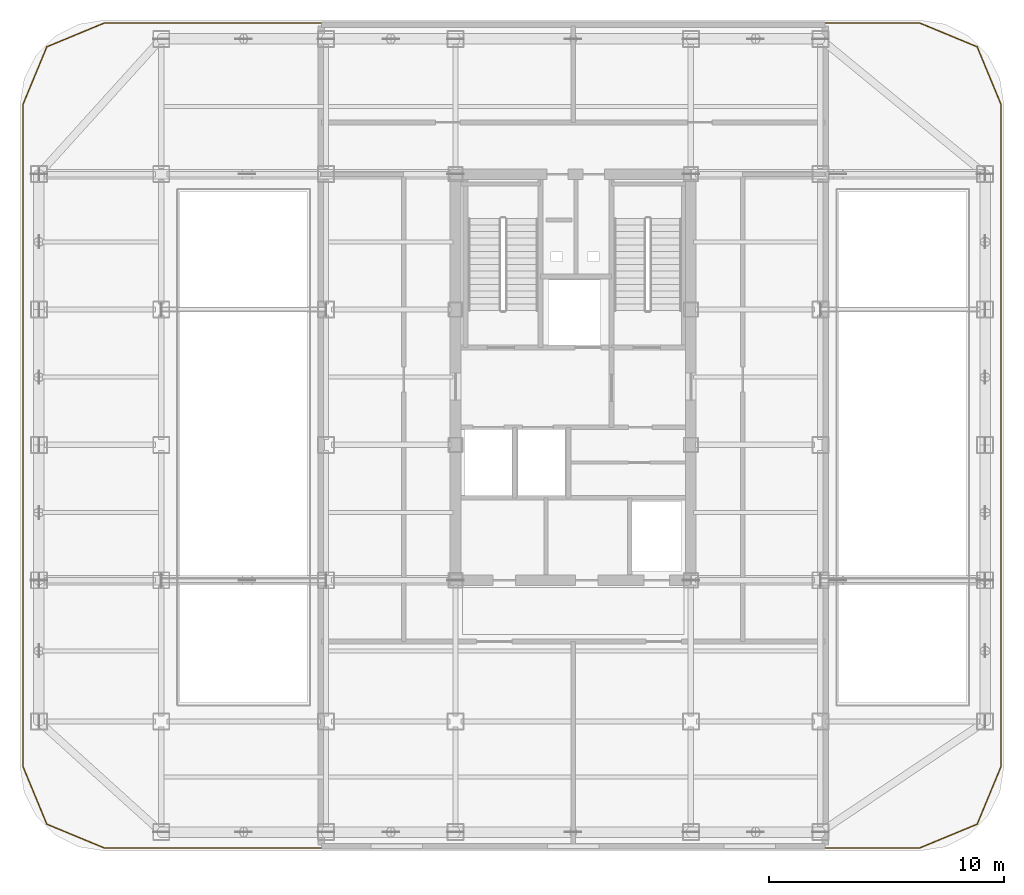
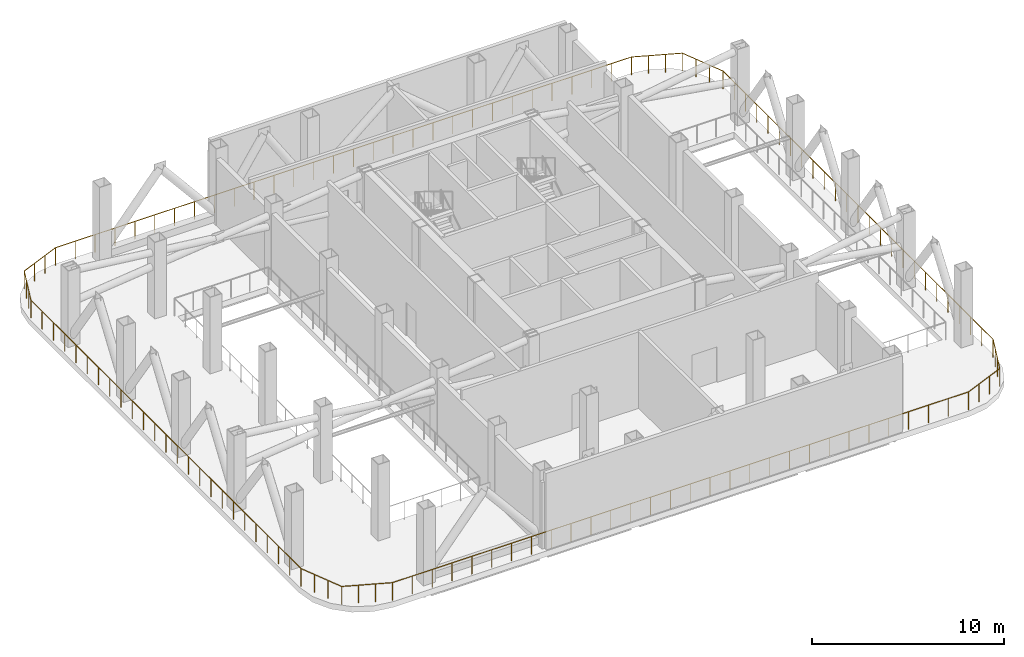
# One storey, part 9 of 10: 1 railing.
"""IFC4 building model written with IfcOpenShell, lengths in metres."""

import ifcopenshell
import ifcopenshell.guid

model = None  # the IFC model being written
_history = None  # IfcOwnerHistory: only IFC2X3 demands one
_inside = {}  # id of a spatial element -> (the spatial element, [elements in it])
_under = {}  # id of a project, library or spatial element -> (it, [spatial elements below it])
_declared = {}  # id of a project -> (the project, [libraries it declares])
_typed = {}  # id of a type object -> (the type object, [elements of that type])
_made_of = {}  # id of a material, layer set ... -> (it, [elements and type objects made of it])


def new_model(schema):
    """Start an empty IFC model of exactly this schema.

    Asked for "IFC4X3", IfcOpenShell would pick the latest addendum, in which some entities
    have other attributes; the version numbers below select the first issue.
    IFC2X3 requires an IfcOwnerHistory on every rooted entity: one is made here for all.
    """
    global model, _history
    if schema == "IFC4X3":
        model = ifcopenshell.file(schema_version=(4, 3, 0, 0))
    else:
        model = ifcopenshell.file(schema=schema)
    _inside.clear()
    _under.clear()
    _declared.clear()
    _typed.clear()
    _made_of.clear()
    _history = None
    if model.schema == "IFC2X3":
        org = make("IfcOrganization", Name="unknown")
        user = make(
            "IfcPersonAndOrganization",
            ThePerson=make("IfcPerson", FamilyName="unknown"),
            TheOrganization=org,
        )
        app = make(
            "IfcApplication",
            ApplicationDeveloper=org,
            Version="unknown",
            ApplicationFullName="unknown",
            ApplicationIdentifier="unknown",
        )
        _history = make(
            "IfcOwnerHistory",
            OwningUser=user,
            OwningApplication=app,
            ChangeAction="ADDED",
            CreationDate=0,
        )
    return model


def make(cls, **values):
    """One entity of the class cls with the attributes given. An attribute that is None is left unset."""
    return model.create_entity(
        cls, **{name: value for name, value in values.items() if value is not None}
    )


def rooted(cls, **values):
    """An entity with a GlobalId (a new one), such as an element, a storey or a relation."""
    return make(cls, GlobalId=ifcopenshell.guid.new(), OwnerHistory=_history, **values)


def si_unit(unit_type, name, prefix=None):
    """IfcSIUnit, for example si_unit("LENGTHUNIT", "METRE", prefix="MILLI")."""
    return make("IfcSIUnit", UnitType=unit_type, Prefix=prefix, Name=name)


def assignment(units):
    """IfcUnitAssignment: the units of a project."""
    return None if units is None else make("IfcUnitAssignment", Units=units)


def point(xyz):
    """IfcCartesianPoint."""
    return None if xyz is None else make("IfcCartesianPoint", Coordinates=xyz)


def direction(xyz):
    """IfcDirection."""
    return None if xyz is None else make("IfcDirection", DirectionRatios=xyz)


def frame(location, z_axis=None, x_axis=None):
    """IfcAxis2Placement3D, a coordinate frame: its origin and axes. An axis left out is left unset."""
    return make(
        "IfcAxis2Placement3D",
        Location=point(location),
        Axis=direction(z_axis),
        RefDirection=direction(x_axis),
    )


def frame_2d(location, x_axis=None):
    """IfcAxis2Placement2D, a coordinate frame in the plane: its origin and x axis."""
    return make(
        "IfcAxis2Placement2D", Location=point(location), RefDirection=direction(x_axis)
    )


def origin():
    """The frame at (0, 0, 0) with its axes left unset."""
    return frame((0.0, 0.0, 0.0))


def origin_2d():
    """The frame at (0, 0) in the plane with its x axis left unset."""
    return frame_2d((0.0, 0.0))


def place(relative_to, where):
    """IfcLocalPlacement: puts the frame where relative to a parent placement (None: the world)."""
    return make(
        "IfcLocalPlacement", PlacementRelTo=relative_to, RelativePlacement=where
    )


def context(
    kind, dimensions, precision=None, world=None, true_north=None, identifier=None
):
    """IfcGeometricRepresentationContext, for example the 3D "Model" context."""
    return make(
        "IfcGeometricRepresentationContext",
        ContextIdentifier=identifier,
        ContextType=kind,
        CoordinateSpaceDimension=dimensions,
        Precision=precision,
        WorldCoordinateSystem=world,
        TrueNorth=true_north,
    )


def subcontext(parent, identifier, kind, view, scale=None):
    """IfcGeometricRepresentationSubContext, for example "Body" below "Model"."""
    return make(
        "IfcGeometricRepresentationSubContext",
        ContextIdentifier=identifier,
        ContextType=kind,
        ParentContext=parent,
        TargetScale=scale,
        TargetView=view,
    )


def project(units=None, contexts=None):
    """IfcProject with its units and contexts."""
    return rooted(
        "IfcProject",
        Name="project",
        RepresentationContexts=contexts,
        UnitsInContext=assignment(units),
    )


def spatial(cls, under=None, at=None, **own):
    """A site, building, storey or space (cls), placed at a placement, below another one or the project."""
    s = rooted(cls, ObjectPlacement=at, **own)
    if under is not None:
        _under.setdefault(under.id(), (under, []))[1].append(s)
    return s


def profile(cls, at=None, kind="AREA", **sizes):
    """A parametric profile (cls). Its sizes go by their IFC names, for example OverallWidth=200.0."""
    return make(cls, ProfileType=kind, Position=at, **sizes)


def circle(**sizes):
    """IfcCircleProfileDef."""
    return profile("IfcCircleProfileDef", **sizes)


def extrude(swept, where, along, depth):
    """IfcExtrudedAreaSolid: the profile swept, set in the frame where, extruded along a direction by depth."""
    return make(
        "IfcExtrudedAreaSolid",
        SweptArea=swept,
        Position=where,
        ExtrudedDirection=direction(along),
        Depth=depth,
    )


def shape(context_of_items, identifier, shape_type, items):
    """IfcShapeRepresentation: the items that make up one representation, for example the "Body"."""
    return make(
        "IfcShapeRepresentation",
        ContextOfItems=context_of_items,
        RepresentationIdentifier=identifier,
        RepresentationType=shape_type,
        Items=items,
    )


def material(Name=None, Category=None):
    """IfcMaterial."""
    return make("IfcMaterial", Name=Name, Category=Category)


def made_of(thing, what):
    """Note that an element or type object is made of a material, layer set ...; save() writes the relation."""
    if what is not None:
        _made_of.setdefault(what.id(), (what, []))[1].append(thing)
    return thing


def type_object(cls, material=None, **own):
    """A type object (cls), such as IfcWallType, which elements share."""
    return made_of(rooted(cls, **own), material)


def element(
    cls,
    number,
    at=None,
    inside=None,
    cuts=None,
    type_object=None,
    material=None,
    context=None,
    identifier="Body",
    shape_type=None,
    held_by="IfcProductDefinitionShape",
    body=None,
    shapes=None,
    **own,
):
    """One element of the class cls, such as IfcWall. Its Tag is "e" and its number.

    at: its placement. inside: the storey or other place that contains it. cuts: it is an
    opening in that element (IfcRelVoidsElement). A single representation is given by context,
    identifier, shape_type and body (its items); several are given by shapes. held_by: the class
    of the entity that holds the representations. save() writes the other relations.
    """
    e = rooted(cls, Tag="e%d" % number, ObjectPlacement=at, **own)
    if body is not None:
        shapes = [shape(context, identifier, shape_type, body)]
    if shapes is not None:
        e.Representation = make(held_by, Representations=shapes)
    if inside is not None:
        _inside.setdefault(inside.id(), (inside, []))[1].append(e)
    if cuts is not None:
        rooted(
            "IfcRelVoidsElement", RelatingBuildingElement=cuts, RelatedOpeningElement=e
        )
    if type_object is not None:
        _typed.setdefault(type_object.id(), (type_object, []))[1].append(e)
    return made_of(e, material)


def aggregate(whole, parts):
    """IfcRelAggregates: a whole, such as a stair, and the parts it consists of."""
    return rooted("IfcRelAggregates", RelatingObject=whole, RelatedObjects=parts)


def save(model, path):
    """Write the relations noted so far, then the file.

    IfcRelAggregates (storeys below a building ...), IfcRelContainedInSpatialStructure (elements
    in a storey), IfcRelDefinesByType, IfcRelAssociatesMaterial and IfcRelDeclares: one each for
    every whole, place, type object, material and project.
    """
    for whole, parts in _under.values():
        aggregate(whole, parts)
    for where, things in _inside.values():
        rooted(
            "IfcRelContainedInSpatialStructure",
            RelatedElements=things,
            RelatingStructure=where,
        )
    for kind, things in _typed.values():
        rooted("IfcRelDefinesByType", RelatedObjects=things, RelatingType=kind)
    for what, things in _made_of.values():
        rooted("IfcRelAssociatesMaterial", RelatedObjects=things, RelatingMaterial=what)
    for by, libraries in _declared.values():
        rooted("IfcRelDeclares", RelatingContext=by, RelatedDefinitions=libraries)
    model.write(path)


model = new_model("IFC4")

# Units and contexts
model_context = context("Model", 3, precision=1e-05, world=origin(), true_north=direction((0.0, 1.0)))
body_context = subcontext(model_context, "Body", "Model", "MODEL_VIEW")
ifc_project = project(units=[si_unit("LENGTHUNIT", "METRE"), si_unit("AREAUNIT", "SQUARE_METRE"), si_unit("VOLUMEUNIT", "CUBIC_METRE"), si_unit("PLANEANGLEUNIT", "RADIAN"), si_unit("MASSUNIT", "GRAM", prefix="KILO")], contexts=[model_context])

# Site, building, storey
site_placement = place(None, origin())
site = spatial("IfcSite", under=ifc_project, at=site_placement, CompositionType="ELEMENT")
building_placement = place(site_placement, origin())
building = spatial("IfcBuilding", under=site, at=building_placement, Name="Kolveth Station Tower", CompositionType="ELEMENT")
storey_placement = place(building_placement, frame((0.0, 0.0, 188.10009765625)))
storey = spatial("IfcBuildingStorey", under=building, at=storey_placement, Name="L53", CompositionType="ELEMENT", Elevation=188.10009765625)

# Railing
ifc_material = material(Name="Painted Steel S355 balustrade", Category="steel")
railing_type = type_object("IfcRailingType", Name="Guard_GR2", PredefinedType="BALUSTRADE", material=ifc_material)
railing_placement = place(storey_placement, frame((38.199951171875, 0.1201171875, 0.0)))
element("IfcRailing", 1, at=railing_placement, inside=storey, type_object=railing_type, Name="L53 Wind-Slot Aerodynamic Deck Perimeter Guard", PredefinedType="BALUSTRADE", context=body_context, shape_type="SweptSolid", body=[
    extrude(circle(Radius=0.02392578125, at=origin_2d()), frame((0.0, 0.0, 1.1259765625), z_axis=(0.923874946572, 0.382694503615, 0.0), x_axis=(-0.382694503615, 0.923874946572, 0.0)), (0.0, 0.0, 1.0), 2.663330078125),
    extrude(circle(Radius=0.02392578125, at=origin_2d()), frame((2.460693359375, 1.019287109375, 1.1259765625), z_axis=(0.382694503615, 0.923874946572, 0.0), x_axis=(-0.923874946572, 0.382694503615, 0.0)), (0.0, 0.0, 1.0), 2.663330078125),
    extrude(circle(Radius=0.02392578125, at=origin_2d()), frame((3.47998046875, 3.47998046875, 1.1259765625), z_axis=(0.0, 1.0, 0.0), x_axis=(-1.0, 0.0, 0.0)), (0.0, 0.0, 1.0), 28.099853515625),
    extrude(circle(Radius=0.02392578125, at=origin_2d()), frame((3.47998046875, 31.579833984375, 1.1259765625), z_axis=(-0.382694503615, 0.923874946572, 0.0), x_axis=(-0.923874946572, -0.382694503615, 0.0)), (0.0, 0.0, 1.0), 2.663330078125),
    extrude(circle(Radius=0.02392578125, at=origin_2d()), frame((2.460693359375, 34.04052734375, 1.1259765625), z_axis=(-0.923874946572, 0.382694503615, 0.0), x_axis=(-0.382694503615, -0.923874946572, 0.0)), (0.0, 0.0, 1.0), 2.663330078125),
    extrude(circle(Radius=0.02392578125, at=origin_2d()), frame((0.0, 35.059814453125, 1.1259765625), z_axis=(-1.0, 0.0, 0.0), x_axis=(0.0, -1.0, 0.0)), (0.0, 0.0, 1.0), 34.599853515625),
    extrude(circle(Radius=0.02392578125, at=origin_2d()), frame((-34.599853515625, 35.059814453125, 1.1259765625), z_axis=(-0.923874946572, -0.382694503615, 0.0), x_axis=(0.382694503615, -0.923874946572, 0.0)), (0.0, 0.0, 1.0), 2.663330078125),
    extrude(circle(Radius=0.02392578125, at=origin_2d()), frame((-37.060546875, 34.04052734375, 1.1259765625), z_axis=(-0.382694503615, -0.923874946572, 0.0), x_axis=(0.923874946572, -0.382694503615, 0.0)), (0.0, 0.0, 1.0), 2.663330078125),
    extrude(circle(Radius=0.02392578125, at=origin_2d()), frame((-38.079833984375, 31.579833984375, 1.1259765625), z_axis=(0.0, -1.0, 0.0), x_axis=(1.0, 0.0, 0.0)), (0.0, 0.0, 1.0), 28.099853515625),
    extrude(circle(Radius=0.02392578125, at=origin_2d()), frame((-38.079833984375, 3.47998046875, 1.1259765625), z_axis=(0.382694503615, -0.923874946572, 0.0), x_axis=(0.923874946572, 0.382694503615, 0.0)), (0.0, 0.0, 1.0), 2.663330078125),
    extrude(circle(Radius=0.02392578125, at=origin_2d()), frame((-37.060546875, 1.019287109375, 1.1259765625), z_axis=(0.923874946572, -0.382694503615, 0.0), x_axis=(0.382694503615, 0.923874946572, 0.0)), (0.0, 0.0, 1.0), 2.663330078125),
    extrude(circle(Radius=0.02392578125, at=origin_2d()), frame((-34.599853515625, 0.0, 1.1259765625), z_axis=(1.0, 0.0, 0.0), x_axis=(0.0, 1.0, 0.0)), (0.0, 0.0, 1.0), 34.574951171875),
    extrude(circle(Radius=0.02099609375, at=origin_2d()), origin(), (0.0, 0.0, 1.0), 1.101806640625),
    extrude(circle(Radius=0.02099609375, at=origin_2d()), frame((0.8203125, 0.33984375, 0.0)), (0.0, 0.0, 1.0), 1.101806640625),
    extrude(circle(Radius=0.02099609375, at=origin_2d()), frame((1.640380859375, 0.679443359375, 0.0)), (0.0, 0.0, 1.0), 1.101806640625),
    extrude(circle(Radius=0.02099609375, at=origin_2d()), frame((2.460693359375, 1.019287109375, 0.0)), (0.0, 0.0, 1.0), 1.101806640625),
    extrude(circle(Radius=0.02099609375, at=origin_2d()), frame((2.800537109375, 1.839599609375, 0.0)), (0.0, 0.0, 1.0), 1.101806640625),
    extrude(circle(Radius=0.02099609375, at=origin_2d()), frame((3.14013671875, 2.65966796875, 0.0)), (0.0, 0.0, 1.0), 1.101806640625),
    extrude(circle(Radius=0.02099609375, at=origin_2d()), frame((3.47998046875, 3.47998046875, 0.0)), (0.0, 0.0, 1.0), 1.101806640625),
    extrude(circle(Radius=0.02099609375, at=origin_2d()), frame((3.47998046875, 4.65087890625, 0.0)), (0.0, 0.0, 1.0), 1.101806640625),
    extrude(circle(Radius=0.02099609375, at=origin_2d()), frame((3.47998046875, 5.821533203125, 0.0)), (0.0, 0.0, 1.0), 1.101806640625),
    extrude(circle(Radius=0.02099609375, at=origin_2d()), frame((3.47998046875, 6.992431640625, 0.0)), (0.0, 0.0, 1.0), 1.101806640625),
    extrude(circle(Radius=0.02099609375, at=origin_2d()), frame((3.47998046875, 8.163330078125, 0.0)), (0.0, 0.0, 1.0), 1.101806640625),
    extrude(circle(Radius=0.02099609375, at=origin_2d()), frame((3.47998046875, 9.334228515625, 0.0)), (0.0, 0.0, 1.0), 1.101806640625),
    extrude(circle(Radius=0.02099609375, at=origin_2d()), frame((3.47998046875, 10.5048828125, 0.0)), (0.0, 0.0, 1.0), 1.101806640625),
    extrude(circle(Radius=0.02099609375, at=origin_2d()), frame((3.47998046875, 11.67578125, 0.0)), (0.0, 0.0, 1.0), 1.101806640625),
    extrude(circle(Radius=0.02099609375, at=origin_2d()), frame((3.47998046875, 12.8466796875, 0.0)), (0.0, 0.0, 1.0), 1.101806640625),
    extrude(circle(Radius=0.02099609375, at=origin_2d()), frame((3.47998046875, 14.017333984375, 0.0)), (0.0, 0.0, 1.0), 1.101806640625),
    extrude(circle(Radius=0.02099609375, at=origin_2d()), frame((3.47998046875, 15.188232421875, 0.0)), (0.0, 0.0, 1.0), 1.101806640625),
    extrude(circle(Radius=0.02099609375, at=origin_2d()), frame((3.47998046875, 16.359130859375, 0.0)), (0.0, 0.0, 1.0), 1.101806640625),
    extrude(circle(Radius=0.02099609375, at=origin_2d()), frame((3.47998046875, 17.52978515625, 0.0)), (0.0, 0.0, 1.0), 1.101806640625),
    extrude(circle(Radius=0.02099609375, at=origin_2d()), frame((3.47998046875, 18.70068359375, 0.0)), (0.0, 0.0, 1.0), 1.101806640625),
    extrude(circle(Radius=0.02099609375, at=origin_2d()), frame((3.47998046875, 19.87158203125, 0.0)), (0.0, 0.0, 1.0), 1.101806640625),
    extrude(circle(Radius=0.02099609375, at=origin_2d()), frame((3.47998046875, 21.04248046875, 0.0)), (0.0, 0.0, 1.0), 1.101806640625),
    extrude(circle(Radius=0.02099609375, at=origin_2d()), frame((3.47998046875, 22.213134765625, 0.0)), (0.0, 0.0, 1.0), 1.101806640625),
    extrude(circle(Radius=0.02099609375, at=origin_2d()), frame((3.47998046875, 23.384033203125, 0.0)), (0.0, 0.0, 1.0), 1.101806640625),
    extrude(circle(Radius=0.02099609375, at=origin_2d()), frame((3.47998046875, 24.554931640625, 0.0)), (0.0, 0.0, 1.0), 1.101806640625),
    extrude(circle(Radius=0.02099609375, at=origin_2d()), frame((3.47998046875, 25.7255859375, 0.0)), (0.0, 0.0, 1.0), 1.101806640625),
    extrude(circle(Radius=0.02099609375, at=origin_2d()), frame((3.47998046875, 26.896484375, 0.0)), (0.0, 0.0, 1.0), 1.101806640625),
    extrude(circle(Radius=0.02099609375, at=origin_2d()), frame((3.47998046875, 28.0673828125, 0.0)), (0.0, 0.0, 1.0), 1.101806640625),
    extrude(circle(Radius=0.02099609375, at=origin_2d()), frame((3.47998046875, 29.23828125, 0.0)), (0.0, 0.0, 1.0), 1.101806640625),
    extrude(circle(Radius=0.02099609375, at=origin_2d()), frame((3.47998046875, 30.408935546875, 0.0)), (0.0, 0.0, 1.0), 1.101806640625),
    extrude(circle(Radius=0.02099609375, at=origin_2d()), frame((3.47998046875, 31.579833984375, 0.0)), (0.0, 0.0, 1.0), 1.101806640625),
    extrude(circle(Radius=0.02099609375, at=origin_2d()), frame((3.14013671875, 32.400146484375, 0.0)), (0.0, 0.0, 1.0), 1.101806640625),
    extrude(circle(Radius=0.02099609375, at=origin_2d()), frame((2.800537109375, 33.22021484375, 0.0)), (0.0, 0.0, 1.0), 1.101806640625),
    extrude(circle(Radius=0.02099609375, at=origin_2d()), frame((2.460693359375, 34.04052734375, 0.0)), (0.0, 0.0, 1.0), 1.101806640625),
    extrude(circle(Radius=0.02099609375, at=origin_2d()), frame((1.640380859375, 34.38037109375, 0.0)), (0.0, 0.0, 1.0), 1.101806640625),
    extrude(circle(Radius=0.02099609375, at=origin_2d()), frame((0.8203125, 34.719970703125, 0.0)), (0.0, 0.0, 1.0), 1.101806640625),
    extrude(circle(Radius=0.02099609375, at=origin_2d()), frame((0.0, 35.059814453125, 0.0)), (0.0, 0.0, 1.0), 1.101806640625),
    extrude(circle(Radius=0.02099609375, at=origin_2d()), frame((-1.193115234375, 35.059814453125, 0.0)), (0.0, 0.0, 1.0), 1.101806640625),
    extrude(circle(Radius=0.02099609375, at=origin_2d()), frame((-2.38623046875, 35.059814453125, 0.0)), (0.0, 0.0, 1.0), 1.101806640625),
    extrude(circle(Radius=0.02099609375, at=origin_2d()), frame((-3.579345703125, 35.059814453125, 0.0)), (0.0, 0.0, 1.0), 1.101806640625),
    extrude(circle(Radius=0.02099609375, at=origin_2d()), frame((-4.7724609375, 35.059814453125, 0.0)), (0.0, 0.0, 1.0), 1.101806640625),
    extrude(circle(Radius=0.02099609375, at=origin_2d()), frame((-5.965576171875, 35.059814453125, 0.0)), (0.0, 0.0, 1.0), 1.101806640625),
    extrude(circle(Radius=0.02099609375, at=origin_2d()), frame((-7.15869140625, 35.059814453125, 0.0)), (0.0, 0.0, 1.0), 1.101806640625),
    extrude(circle(Radius=0.02099609375, at=origin_2d()), frame((-8.351806640625, 35.059814453125, 0.0)), (0.0, 0.0, 1.0), 1.101806640625),
    extrude(circle(Radius=0.02099609375, at=origin_2d()), frame((-9.544677734375, 35.059814453125, 0.0)), (0.0, 0.0, 1.0), 1.101806640625),
    extrude(circle(Radius=0.02099609375, at=origin_2d()), frame((-10.73779296875, 35.059814453125, 0.0)), (0.0, 0.0, 1.0), 1.101806640625),
    extrude(circle(Radius=0.02099609375, at=origin_2d()), frame((-11.930908203125, 35.059814453125, 0.0)), (0.0, 0.0, 1.0), 1.101806640625),
    extrude(circle(Radius=0.02099609375, at=origin_2d()), frame((-13.1240234375, 35.059814453125, 0.0)), (0.0, 0.0, 1.0), 1.101806640625),
    extrude(circle(Radius=0.02099609375, at=origin_2d()), frame((-14.317138671875, 35.059814453125, 0.0)), (0.0, 0.0, 1.0), 1.101806640625),
    extrude(circle(Radius=0.02099609375, at=origin_2d()), frame((-15.51025390625, 35.059814453125, 0.0)), (0.0, 0.0, 1.0), 1.101806640625),
    extrude(circle(Radius=0.02099609375, at=origin_2d()), frame((-16.703369140625, 35.059814453125, 0.0)), (0.0, 0.0, 1.0), 1.101806640625),
    extrude(circle(Radius=0.02099609375, at=origin_2d()), frame((-17.896484375, 35.059814453125, 0.0)), (0.0, 0.0, 1.0), 1.101806640625),
    extrude(circle(Radius=0.02099609375, at=origin_2d()), frame((-19.089599609375, 35.059814453125, 0.0)), (0.0, 0.0, 1.0), 1.101806640625),
    extrude(circle(Radius=0.02099609375, at=origin_2d()), frame((-20.28271484375, 35.059814453125, 0.0)), (0.0, 0.0, 1.0), 1.101806640625),
    extrude(circle(Radius=0.02099609375, at=origin_2d()), frame((-21.475830078125, 35.059814453125, 0.0)), (0.0, 0.0, 1.0), 1.101806640625),
    extrude(circle(Radius=0.02099609375, at=origin_2d()), frame((-22.6689453125, 35.059814453125, 0.0)), (0.0, 0.0, 1.0), 1.101806640625),
    extrude(circle(Radius=0.02099609375, at=origin_2d()), frame((-23.862060546875, 35.059814453125, 0.0)), (0.0, 0.0, 1.0), 1.101806640625),
    extrude(circle(Radius=0.02099609375, at=origin_2d()), frame((-25.05517578125, 35.059814453125, 0.0)), (0.0, 0.0, 1.0), 1.101806640625),
    extrude(circle(Radius=0.02099609375, at=origin_2d()), frame((-26.248046875, 35.059814453125, 0.0)), (0.0, 0.0, 1.0), 1.101806640625),
    extrude(circle(Radius=0.02099609375, at=origin_2d()), frame((-27.441162109375, 35.059814453125, 0.0)), (0.0, 0.0, 1.0), 1.101806640625),
    extrude(circle(Radius=0.02099609375, at=origin_2d()), frame((-28.63427734375, 35.059814453125, 0.0)), (0.0, 0.0, 1.0), 1.101806640625),
    extrude(circle(Radius=0.02099609375, at=origin_2d()), frame((-29.827392578125, 35.059814453125, 0.0)), (0.0, 0.0, 1.0), 1.101806640625),
    extrude(circle(Radius=0.02099609375, at=origin_2d()), frame((-31.0205078125, 35.059814453125, 0.0)), (0.0, 0.0, 1.0), 1.101806640625),
    extrude(circle(Radius=0.02099609375, at=origin_2d()), frame((-32.213623046875, 35.059814453125, 0.0)), (0.0, 0.0, 1.0), 1.101806640625),
    extrude(circle(Radius=0.02099609375, at=origin_2d()), frame((-33.40673828125, 35.059814453125, 0.0)), (0.0, 0.0, 1.0), 1.101806640625),
    extrude(circle(Radius=0.02099609375, at=origin_2d()), frame((-34.599853515625, 35.059814453125, 0.0)), (0.0, 0.0, 1.0), 1.101806640625),
    extrude(circle(Radius=0.02099609375, at=origin_2d()), frame((-35.420166015625, 34.719970703125, 0.0)), (0.0, 0.0, 1.0), 1.101806640625),
    extrude(circle(Radius=0.02099609375, at=origin_2d()), frame((-36.240234375, 34.38037109375, 0.0)), (0.0, 0.0, 1.0), 1.101806640625),
    extrude(circle(Radius=0.02099609375, at=origin_2d()), frame((-37.060546875, 34.04052734375, 0.0)), (0.0, 0.0, 1.0), 1.101806640625),
    extrude(circle(Radius=0.02099609375, at=origin_2d()), frame((-37.400390625, 33.22021484375, 0.0)), (0.0, 0.0, 1.0), 1.101806640625),
    extrude(circle(Radius=0.02099609375, at=origin_2d()), frame((-37.739990234375, 32.400146484375, 0.0)), (0.0, 0.0, 1.0), 1.101806640625),
    extrude(circle(Radius=0.02099609375, at=origin_2d()), frame((-38.079833984375, 31.579833984375, 0.0)), (0.0, 0.0, 1.0), 1.101806640625),
    extrude(circle(Radius=0.02099609375, at=origin_2d()), frame((-38.079833984375, 30.408935546875, 0.0)), (0.0, 0.0, 1.0), 1.101806640625),
    extrude(circle(Radius=0.02099609375, at=origin_2d()), frame((-38.079833984375, 29.23828125, 0.0)), (0.0, 0.0, 1.0), 1.101806640625),
    extrude(circle(Radius=0.02099609375, at=origin_2d()), frame((-38.079833984375, 28.0673828125, 0.0)), (0.0, 0.0, 1.0), 1.101806640625),
    extrude(circle(Radius=0.02099609375, at=origin_2d()), frame((-38.079833984375, 26.896484375, 0.0)), (0.0, 0.0, 1.0), 1.101806640625),
    extrude(circle(Radius=0.02099609375, at=origin_2d()), frame((-38.079833984375, 25.7255859375, 0.0)), (0.0, 0.0, 1.0), 1.101806640625),
    extrude(circle(Radius=0.02099609375, at=origin_2d()), frame((-38.079833984375, 24.554931640625, 0.0)), (0.0, 0.0, 1.0), 1.101806640625),
    extrude(circle(Radius=0.02099609375, at=origin_2d()), frame((-38.079833984375, 23.384033203125, 0.0)), (0.0, 0.0, 1.0), 1.101806640625),
    extrude(circle(Radius=0.02099609375, at=origin_2d()), frame((-38.079833984375, 22.213134765625, 0.0)), (0.0, 0.0, 1.0), 1.101806640625),
    extrude(circle(Radius=0.02099609375, at=origin_2d()), frame((-38.079833984375, 21.04248046875, 0.0)), (0.0, 0.0, 1.0), 1.101806640625),
    extrude(circle(Radius=0.02099609375, at=origin_2d()), frame((-38.079833984375, 19.87158203125, 0.0)), (0.0, 0.0, 1.0), 1.101806640625),
    extrude(circle(Radius=0.02099609375, at=origin_2d()), frame((-38.079833984375, 18.70068359375, 0.0)), (0.0, 0.0, 1.0), 1.101806640625),
    extrude(circle(Radius=0.02099609375, at=origin_2d()), frame((-38.079833984375, 17.52978515625, 0.0)), (0.0, 0.0, 1.0), 1.101806640625),
    extrude(circle(Radius=0.02099609375, at=origin_2d()), frame((-38.079833984375, 16.359130859375, 0.0)), (0.0, 0.0, 1.0), 1.101806640625),
    extrude(circle(Radius=0.02099609375, at=origin_2d()), frame((-38.079833984375, 15.188232421875, 0.0)), (0.0, 0.0, 1.0), 1.101806640625),
    extrude(circle(Radius=0.02099609375, at=origin_2d()), frame((-38.079833984375, 14.017333984375, 0.0)), (0.0, 0.0, 1.0), 1.101806640625),
    extrude(circle(Radius=0.02099609375, at=origin_2d()), frame((-38.079833984375, 12.8466796875, 0.0)), (0.0, 0.0, 1.0), 1.101806640625),
    extrude(circle(Radius=0.02099609375, at=origin_2d()), frame((-38.079833984375, 11.67578125, 0.0)), (0.0, 0.0, 1.0), 1.101806640625),
    extrude(circle(Radius=0.02099609375, at=origin_2d()), frame((-38.079833984375, 10.5048828125, 0.0)), (0.0, 0.0, 1.0), 1.101806640625),
    extrude(circle(Radius=0.02099609375, at=origin_2d()), frame((-38.079833984375, 9.334228515625, 0.0)), (0.0, 0.0, 1.0), 1.101806640625),
    extrude(circle(Radius=0.02099609375, at=origin_2d()), frame((-38.079833984375, 8.163330078125, 0.0)), (0.0, 0.0, 1.0), 1.101806640625),
    extrude(circle(Radius=0.02099609375, at=origin_2d()), frame((-38.079833984375, 6.992431640625, 0.0)), (0.0, 0.0, 1.0), 1.101806640625),
    extrude(circle(Radius=0.02099609375, at=origin_2d()), frame((-38.079833984375, 5.821533203125, 0.0)), (0.0, 0.0, 1.0), 1.101806640625),
    extrude(circle(Radius=0.02099609375, at=origin_2d()), frame((-38.079833984375, 4.65087890625, 0.0)), (0.0, 0.0, 1.0), 1.101806640625),
    extrude(circle(Radius=0.02099609375, at=origin_2d()), frame((-38.079833984375, 3.47998046875, 0.0)), (0.0, 0.0, 1.0), 1.101806640625),
    extrude(circle(Radius=0.02099609375, at=origin_2d()), frame((-37.739990234375, 2.65966796875, 0.0)), (0.0, 0.0, 1.0), 1.101806640625),
    extrude(circle(Radius=0.02099609375, at=origin_2d()), frame((-37.400390625, 1.839599609375, 0.0)), (0.0, 0.0, 1.0), 1.101806640625),
    extrude(circle(Radius=0.02099609375, at=origin_2d()), frame((-37.060546875, 1.019287109375, 0.0)), (0.0, 0.0, 1.0), 1.101806640625),
    extrude(circle(Radius=0.02099609375, at=origin_2d()), frame((-36.240234375, 0.679443359375, 0.0)), (0.0, 0.0, 1.0), 1.101806640625),
    extrude(circle(Radius=0.02099609375, at=origin_2d()), frame((-35.420166015625, 0.33984375, 0.0)), (0.0, 0.0, 1.0), 1.101806640625),
    extrude(circle(Radius=0.02099609375, at=origin_2d()), frame((-34.599853515625, 0.0, 0.0)), (0.0, 0.0, 1.0), 1.101806640625),
    extrude(circle(Radius=0.02099609375, at=origin_2d()), frame((-33.40771484375, 0.0, 0.0)), (0.0, 0.0, 1.0), 1.101806640625),
    extrude(circle(Radius=0.02099609375, at=origin_2d()), frame((-32.21533203125, 0.0, 0.0)), (0.0, 0.0, 1.0), 1.101806640625),
    extrude(circle(Radius=0.02099609375, at=origin_2d()), frame((-31.023193359375, 0.0, 0.0)), (0.0, 0.0, 1.0), 1.101806640625),
    extrude(circle(Radius=0.02099609375, at=origin_2d()), frame((-29.830810546875, 0.0, 0.0)), (0.0, 0.0, 1.0), 1.101806640625),
    extrude(circle(Radius=0.02099609375, at=origin_2d()), frame((-28.638671875, 0.0, 0.0)), (0.0, 0.0, 1.0), 1.101806640625),
    extrude(circle(Radius=0.02099609375, at=origin_2d()), frame((-27.446533203125, 0.0, 0.0)), (0.0, 0.0, 1.0), 1.101806640625),
    extrude(circle(Radius=0.02099609375, at=origin_2d()), frame((-26.254150390625, 0.0, 0.0)), (0.0, 0.0, 1.0), 1.101806640625),
    extrude(circle(Radius=0.02099609375, at=origin_2d()), frame((-25.06201171875, 0.0, 0.0)), (0.0, 0.0, 1.0), 1.101806640625),
    extrude(circle(Radius=0.02099609375, at=origin_2d()), frame((-23.86962890625, 0.0, 0.0)), (0.0, 0.0, 1.0), 1.101806640625),
    extrude(circle(Radius=0.02099609375, at=origin_2d()), frame((-22.677490234375, 0.0, 0.0)), (0.0, 0.0, 1.0), 1.101806640625),
    extrude(circle(Radius=0.02099609375, at=origin_2d()), frame((-21.485107421875, 0.0, 0.0)), (0.0, 0.0, 1.0), 1.101806640625),
    extrude(circle(Radius=0.02099609375, at=origin_2d()), frame((-20.29296875, 0.0, 0.0)), (0.0, 0.0, 1.0), 1.101806640625),
    extrude(circle(Radius=0.02099609375, at=origin_2d()), frame((-19.100830078125, 0.0, 0.0)), (0.0, 0.0, 1.0), 1.101806640625),
    extrude(circle(Radius=0.02099609375, at=origin_2d()), frame((-17.908447265625, 0.0, 0.0)), (0.0, 0.0, 1.0), 1.101806640625),
    extrude(circle(Radius=0.02099609375, at=origin_2d()), frame((-16.71630859375, 0.0, 0.0)), (0.0, 0.0, 1.0), 1.101806640625),
    extrude(circle(Radius=0.02099609375, at=origin_2d()), frame((-15.52392578125, 0.0, 0.0)), (0.0, 0.0, 1.0), 1.101806640625),
    extrude(circle(Radius=0.02099609375, at=origin_2d()), frame((-14.331787109375, 0.0, 0.0)), (0.0, 0.0, 1.0), 1.101806640625),
    extrude(circle(Radius=0.02099609375, at=origin_2d()), frame((-13.1396484375, 0.0, 0.0)), (0.0, 0.0, 1.0), 1.101806640625),
    extrude(circle(Radius=0.02099609375, at=origin_2d()), frame((-11.947265625, 0.0, 0.0)), (0.0, 0.0, 1.0), 1.101806640625),
    extrude(circle(Radius=0.02099609375, at=origin_2d()), frame((-10.755126953125, 0.0, 0.0)), (0.0, 0.0, 1.0), 1.101806640625),
    extrude(circle(Radius=0.02099609375, at=origin_2d()), frame((-9.562744140625, 0.0, 0.0)), (0.0, 0.0, 1.0), 1.101806640625),
    extrude(circle(Radius=0.02099609375, at=origin_2d()), frame((-8.37060546875, 0.0, 0.0)), (0.0, 0.0, 1.0), 1.101806640625),
    extrude(circle(Radius=0.02099609375, at=origin_2d()), frame((-7.17822265625, 0.0, 0.0)), (0.0, 0.0, 1.0), 1.101806640625),
    extrude(circle(Radius=0.02099609375, at=origin_2d()), frame((-5.986083984375, 0.0, 0.0)), (0.0, 0.0, 1.0), 1.101806640625),
    extrude(circle(Radius=0.02099609375, at=origin_2d()), frame((-4.7939453125, 0.0, 0.0)), (0.0, 0.0, 1.0), 1.101806640625),
    extrude(circle(Radius=0.02099609375, at=origin_2d()), frame((-3.6015625, 0.0, 0.0)), (0.0, 0.0, 1.0), 1.101806640625),
    extrude(circle(Radius=0.02099609375, at=origin_2d()), frame((-2.409423828125, 0.0, 0.0)), (0.0, 0.0, 1.0), 1.101806640625),
    extrude(circle(Radius=0.02099609375, at=origin_2d()), frame((-1.217041015625, 0.0, 0.0)), (0.0, 0.0, 1.0), 1.101806640625),
    extrude(circle(Radius=0.02099609375, at=origin_2d()), frame((-0.02490234375, 0.0, 0.0)), (0.0, 0.0, 1.0), 1.101806640625),
])

save(model, "model.ifc")
